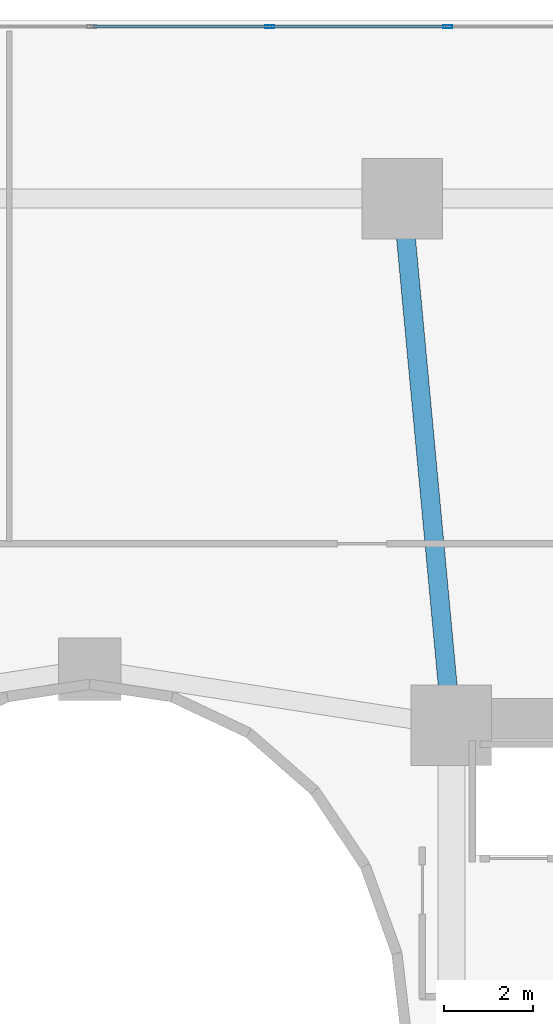
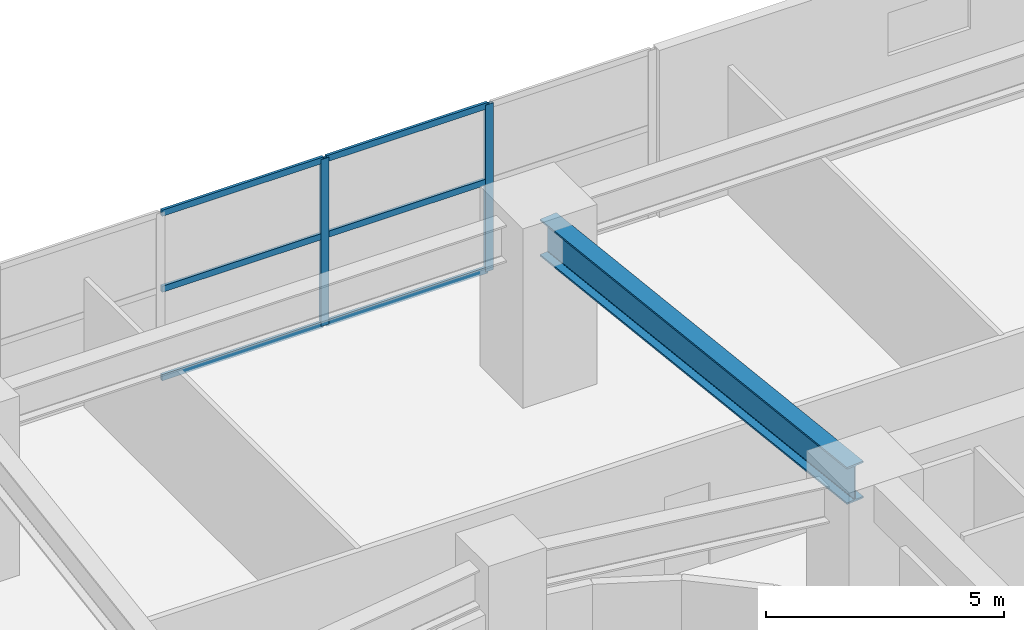
# One storey, part 8 of 20: 8 members, 1 beam, 1 element without a shape of its own.
"""IFC4 building model written with IfcOpenShell, lengths in metres."""

from ifc_helpers import new_model, si_unit, direction, frame, origin, origin_2d, place, context, subcontext, project, spatial, hollow_rectangle, i_section, extrude, material, layer, layer_set, material_profile, profile_set, type_object, element, aggregate, save


model = new_model("IFC4")

# Units and contexts
model_context = context("Model", 3, precision=1e-05, world=origin(), true_north=direction((0.0, 1.0)))
body_context = subcontext(model_context, "Body", "Model", "MODEL_VIEW")
ifc_project = project(units=[si_unit("LENGTHUNIT", "METRE"), si_unit("AREAUNIT", "SQUARE_METRE"), si_unit("VOLUMEUNIT", "CUBIC_METRE"), si_unit("PLANEANGLEUNIT", "RADIAN"), si_unit("MASSUNIT", "GRAM", prefix="KILO")], contexts=[model_context])

# Site, building, storey
site_placement = place(None, origin())
site = spatial("IfcSite", under=ifc_project, at=site_placement, CompositionType="ELEMENT")
building_placement = place(site_placement, origin())
building = spatial("IfcBuilding", under=site, at=building_placement, Name="Solvane Sanctuary Tower", CompositionType="ELEMENT")
storey_placement = place(building_placement, frame((0.0, 0.0, 18.39990234375)))
storey = spatial("IfcBuildingStorey", under=building, at=storey_placement, Name="L05", CompositionType="ELEMENT", Elevation=18.39990234375)

# Beam
ifc_material_1 = material(Name="Steel ASTM A913 Grade 65", Category="steel")
ifc_material_profile_1 = material_profile(ifc_material_1, i_section(OverallWidth=0.423095703125, OverallDepth=0.947998046875, WebThickness=0.02392578125, FlangeThickness=0.042724609375, FilletRadius=0.02392578125, at=origin_2d()), Name="W36X302")
ifc_profile_set_1 = profile_set([ifc_material_profile_1], Name="Steel ASTM A913 Grade 65")
beam_type = type_object("IfcBeamType", Name="Beam B-POD-GIRD W36X302", PredefinedType="BEAM", material=ifc_profile_set_1)
beam_placement = place(storey_placement, frame((39.032470703125, 41.651611328125, 3.80419921875), z_axis=(0.092807615301, -0.9956840596, 0.0), x_axis=(0.9956840596, 0.092807615301, 0.0)))
element("IfcBeam", 1, at=beam_placement, inside=storey, type_object=beam_type, Name="L05 Podium Primary Girder PG12", PredefinedType="BEAM", context=body_context, shape_type="SweptSolid", body=[
    extrude(i_section(OverallWidth=0.423095703125, OverallDepth=0.947998046875, WebThickness=0.02392578125, FlangeThickness=0.042724609375, FilletRadius=0.02392578125, at=origin_2d()), origin(), (0.0, 0.0, 1.0), 11.151123046875),
])

# Curtain wall, members
ifc_material_2 = material(Name="Anodised Aluminium 6063-T6", Category="aluminium")
ifc_layer = layer(ifc_material_2, 0.159912109375, Name="Anodised Aluminium 6063-T6")
ifc_layer_set = layer_set([ifc_layer], Name="Anodised Aluminium 6063-T6")
curtain_wall_type = type_object("IfcCurtainWallType", Name="Curtain Wall CW-POD", PredefinedType="NOTDEFINED", material=ifc_layer_set)
curtain_wall_placement = place(storey_placement, origin())
curtain_wall = element("IfcCurtainWall", 2, at=curtain_wall_placement, inside=storey, type_object=curtain_wall_type, Name="L05 Sanctuary Curtain Wall N2", PredefinedType="NOTDEFINED")
ifc_material_profile_2 = material_profile(ifc_material_2, hollow_rectangle(XDim=0.074951171875, YDim=0.199951171875, WallThickness=0.00390625, at=origin_2d()), Name="ALU200X75X4")
ifc_profile_set_2 = profile_set([ifc_material_profile_2], Name="Anodised Aluminium 6063-T6")
member_type_1 = type_object("IfcMemberType", Name="Member M-CW-MUL-1 ALU200X75X4", PredefinedType="MULLION", material=ifc_profile_set_2)
member_1_placement = place(storey_placement, frame((40.013427734375, 45.85009765625, 0.0), z_axis=(0.0, 0.0, 1.0), x_axis=(0.0, -1.0, 0.0)))
member_1 = element("IfcMember", 3, at=member_1_placement, type_object=member_type_1, Name="CW-POD mullion 2", PredefinedType="MULLION", context=body_context, shape_type="SweptSolid", body=[
    extrude(hollow_rectangle(XDim=0.074951171875, YDim=0.199951171875, WallThickness=0.00390625, at=origin_2d()), origin(), (0.0, 0.0, 1.0), 4.280029296875),
])
member_2_placement = place(storey_placement, frame((36.026611328125, 45.85009765625, 0.0), z_axis=(0.0, 0.0, 1.0), x_axis=(0.0, -1.0, 0.0)))
member_2 = element("IfcMember", 4, at=member_2_placement, type_object=member_type_1, Name="CW-POD mullion 3", PredefinedType="MULLION", context=body_context, shape_type="SweptSolid", body=[
    extrude(hollow_rectangle(XDim=0.074951171875, YDim=0.199951171875, WallThickness=0.00390625, at=origin_2d()), origin(), (0.0, 0.0, 1.0), 4.280029296875),
])
ifc_material_profile_3 = material_profile(ifc_material_2, hollow_rectangle(XDim=0.06494140625, YDim=0.159912109375, WallThickness=0.00341796875, at=origin_2d()), Name="ALU160X65X3.5")
ifc_profile_set_3 = profile_set([ifc_material_profile_3], Name="Anodised Aluminium 6063-T6")
member_type_2 = type_object("IfcMemberType", Name="Member M-CW-TRN-1 ALU160X65X3.5", PredefinedType="USERDEFINED", material=ifc_profile_set_3)
member_3_placement = place(storey_placement, frame((39.975830078125, 45.85009765625, 0.03271484375), z_axis=(-1.0, 0.0, 0.0), x_axis=(0.0, -1.0, 0.0)))
member_3 = element("IfcMember", 5, at=member_3_placement, type_object=member_type_2, Name="CW-POD transom 2.1", ObjectType="TRANSOM", PredefinedType="USERDEFINED", context=body_context, shape_type="SweptSolid", body=[
    extrude(hollow_rectangle(XDim=0.06494140625, YDim=0.159912109375, WallThickness=0.00341796875, at=origin_2d()), origin(), (0.0, 0.0, 1.0), 3.91162109375),
])
member_4_placement = place(storey_placement, frame((39.975830078125, 45.85009765625, 2.300048828125), z_axis=(-1.0, 0.0, 0.0), x_axis=(0.0, -1.0, 0.0)))
member_4 = element("IfcMember", 6, at=member_4_placement, type_object=member_type_2, Name="CW-POD transom 2.2", ObjectType="TRANSOM", PredefinedType="USERDEFINED", context=body_context, shape_type="SweptSolid", body=[
    extrude(hollow_rectangle(XDim=0.06494140625, YDim=0.159912109375, WallThickness=0.00341796875, at=origin_2d()), origin(), (0.0, 0.0, 1.0), 3.91162109375),
])
member_5_placement = place(storey_placement, frame((39.975830078125, 45.85009765625, 4.24755859375), z_axis=(-1.0, 0.0, 0.0), x_axis=(0.0, -1.0, 0.0)))
member_5 = element("IfcMember", 7, at=member_5_placement, type_object=member_type_2, Name="CW-POD transom 2.3", ObjectType="TRANSOM", PredefinedType="USERDEFINED", context=body_context, shape_type="SweptSolid", body=[
    extrude(hollow_rectangle(XDim=0.06494140625, YDim=0.159912109375, WallThickness=0.00341796875, at=origin_2d()), origin(), (0.0, 0.0, 1.0), 3.91162109375),
])
member_6_placement = place(storey_placement, frame((35.9892578125, 45.85009765625, 0.03271484375), z_axis=(-1.0, 0.0, 0.0), x_axis=(0.0, -1.0, 0.0)))
member_6 = element("IfcMember", 8, at=member_6_placement, type_object=member_type_2, Name="CW-POD transom 3.1", ObjectType="TRANSOM", PredefinedType="USERDEFINED", context=body_context, shape_type="SweptSolid", body=[
    extrude(hollow_rectangle(XDim=0.06494140625, YDim=0.159912109375, WallThickness=0.00341796875, at=origin_2d()), origin(), (0.0, 0.0, 1.0), 3.911865234375),
])
member_7_placement = place(storey_placement, frame((35.9892578125, 45.85009765625, 2.300048828125), z_axis=(-1.0, 0.0, 0.0), x_axis=(0.0, -1.0, 0.0)))
member_7 = element("IfcMember", 9, at=member_7_placement, type_object=member_type_2, Name="CW-POD transom 3.2", ObjectType="TRANSOM", PredefinedType="USERDEFINED", context=body_context, shape_type="SweptSolid", body=[
    extrude(hollow_rectangle(XDim=0.06494140625, YDim=0.159912109375, WallThickness=0.00341796875, at=origin_2d()), origin(), (0.0, 0.0, 1.0), 3.911865234375),
])
member_8_placement = place(storey_placement, frame((35.9892578125, 45.85009765625, 4.24755859375), z_axis=(-1.0, 0.0, 0.0), x_axis=(0.0, -1.0, 0.0)))
member_8 = element("IfcMember", 10, at=member_8_placement, type_object=member_type_2, Name="CW-POD transom 3.3", ObjectType="TRANSOM", PredefinedType="USERDEFINED", context=body_context, shape_type="SweptSolid", body=[
    extrude(hollow_rectangle(XDim=0.06494140625, YDim=0.159912109375, WallThickness=0.00341796875, at=origin_2d()), origin(), (0.0, 0.0, 1.0), 3.911865234375),
])
aggregate(curtain_wall, [member_1, member_2, member_3, member_4, member_5, member_6, member_7, member_8])

save(model, "model.ifc")
